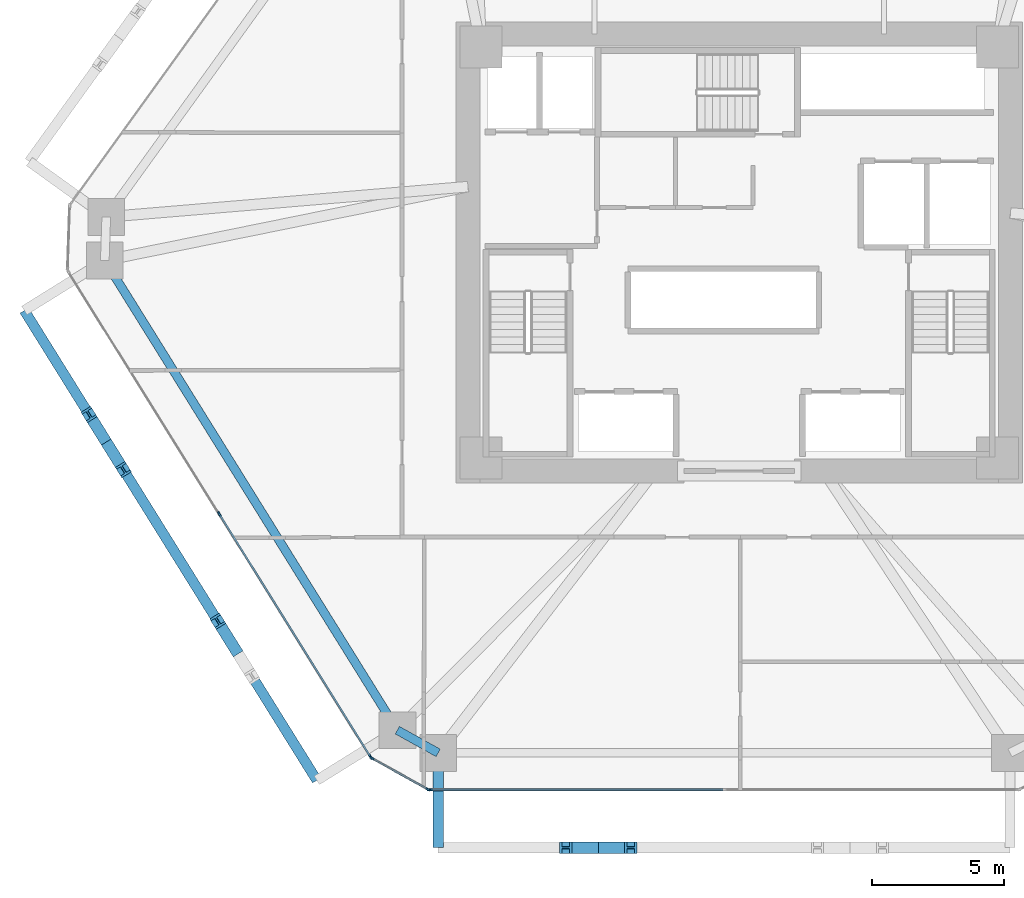
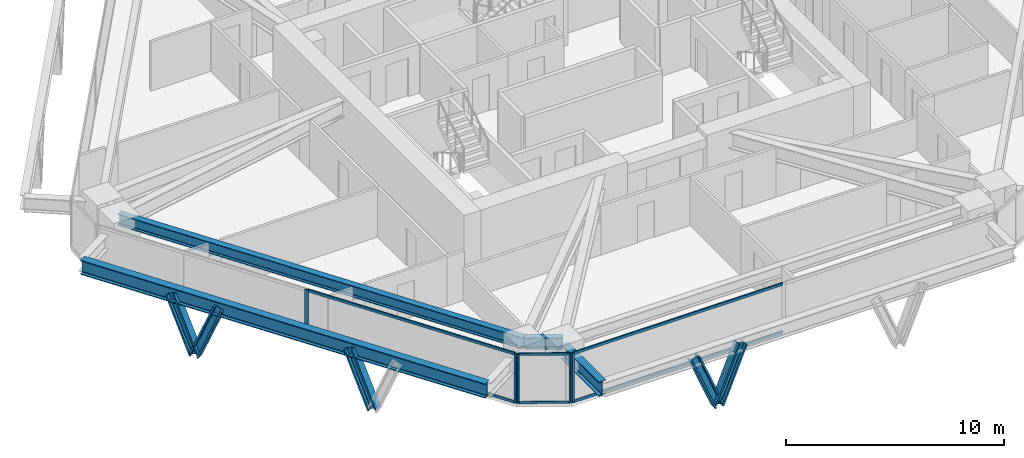
# One storey, part 2 of 15: 16 members, 4 beams, 3 elements without a shape of their own.
"""IFC4 building model written with IfcOpenShell, lengths in metres."""

from ifc_helpers import new_model, si_unit, direction, frame, origin, origin_2d, place, context, subcontext, project, spatial, rectangle, i_section, extrude, source, transform, mapped, material, layer, layer_set, material_profile, profile_set, type_object, type_shapes, element, aggregate, save


model = new_model("IFC4")

# Units and contexts
model_context = context("Model", 3, precision=1e-05, world=origin(), true_north=direction((0.0, 1.0)))
body_context = subcontext(model_context, "Body", "Model", "MODEL_VIEW")
ifc_project = project(units=[si_unit("LENGTHUNIT", "METRE"), si_unit("AREAUNIT", "SQUARE_METRE"), si_unit("VOLUMEUNIT", "CUBIC_METRE"), si_unit("PLANEANGLEUNIT", "RADIAN"), si_unit("MASSUNIT", "GRAM", prefix="KILO")], contexts=[model_context])

# Site, building, storey
site_placement = place(None, origin())
site = spatial("IfcSite", under=ifc_project, at=site_placement, CompositionType="ELEMENT")
building_placement = place(site_placement, origin())
building = spatial("IfcBuilding", under=site, at=building_placement, Name="Durnholm Broadcast Tower", CompositionType="ELEMENT")
storey_placement = place(building_placement, frame((0.0, 0.0, 75.300048828125)))
storey = spatial("IfcBuildingStorey", under=building, at=storey_placement, Name="L19", CompositionType="ELEMENT", Elevation=75.300048828125)

# Beams
ifc_material_1 = material(Name="Steel ASTM A992 Grade 50", Category="steel")
ifc_material_profile_1 = material_profile(ifc_material_1, i_section(OverallWidth=0.3291015625, OverallDepth=0.635009765625, WebThickness=0.017822265625, FlangeThickness=0.031005859375, FilletRadius=0.02783203125, at=origin_2d()), Name="W24X162")
ifc_profile_set_1 = profile_set([ifc_material_profile_1], Name="Steel ASTM A992 Grade 50")
beam_type_1 = type_object("IfcBeamType", Name="STL-SP-W24X162", PredefinedType="SPANDREL", material=ifc_profile_set_1)
shared_shape_1 = source(origin(), body_context, "Body", "SweptSolid", [
    extrude(i_section(OverallWidth=0.3291015625, OverallDepth=0.635009765625, WebThickness=0.017822265625, FlangeThickness=0.031005859375, FilletRadius=0.02783203125, at=origin_2d()), origin(), (0.0, 0.0, 1.0), 21.014404296875),
])
beam_1_placement = place(storey_placement, frame((-12.982666015625, -18.138427734375, 2.427490234375), z_axis=(-0.528595731543, 0.848873696491, 0.0), x_axis=(-0.848873696491, -0.528595731543, 0.0)))
element("IfcBeam", 1, at=beam_1_placement, inside=storey, type_object=beam_type_1, Name="L19 perimeter spandrel girder 01", PredefinedType="SPANDREL", context=body_context, shape_type="MappedRepresentation", body=[
    mapped(shared_shape_1, transform((0.0, 0.0, 0.0), x_axis=(1.0, 0.0, 0.0), y_axis=(0.0, 1.0, 0.0), z_axis=(0.0, 0.0, 1.0), scale=1.0)),
])
shared_shape_2 = source(origin(), body_context, "Body", "SweptSolid", [
    extrude(i_section(OverallWidth=0.3291015625, OverallDepth=0.635009765625, WebThickness=0.017822265625, FlangeThickness=0.031005859375, FilletRadius=0.02783203125, at=origin_2d()), origin(), (0.0, 0.0, 1.0), 1.774658203125),
])
type_shapes(beam_type_1, [shared_shape_1, shared_shape_2])
beam_2_placement = place(storey_placement, frame((-11.43115234375, -19.0, 2.427490234375), z_axis=(-0.874248107979, 0.485479397806, 0.0), x_axis=(-0.485479397806, -0.874248107979, 0.0)))
element("IfcBeam", 2, at=beam_2_placement, inside=storey, type_object=beam_type_1, Name="L19 perimeter spandrel girder 12", PredefinedType="SPANDREL", context=body_context, shape_type="MappedRepresentation", body=[
    mapped(shared_shape_2, transform((0.0, 0.0, 0.0), x_axis=(1.0, 0.0, 0.0), y_axis=(0.0, 1.0, 0.0), z_axis=(0.0, 0.0, 1.0), scale=1.0)),
])
ifc_material_profile_2 = material_profile(ifc_material_1, i_section(OverallWidth=0.385009765625, OverallDepth=0.802978515625, WebThickness=0.023681640625, FlangeThickness=0.0419921875, FilletRadius=0.032958984375, at=origin_2d()), Name="W30X261")
ifc_profile_set_2 = profile_set([ifc_material_profile_2], Name="Steel ASTM A992 Grade 50")
beam_type_2 = type_object("IfcBeamType", Name="BM-EXO-TIE", PredefinedType="USERDEFINED", material=ifc_profile_set_2)
shared_shape_3 = source(origin(), body_context, "Body", "SweptSolid", [
    extrude(i_section(OverallWidth=0.385009765625, OverallDepth=0.802978515625, WebThickness=0.023681640625, FlangeThickness=0.0419921875, FilletRadius=0.032958984375, at=origin_2d()), origin(), (0.0, 0.0, 1.0), 3.4560546875),
])
beam_3_placement = place(storey_placement, frame((-11.43115234375, -19.14404296875, 2.008544921875), z_axis=(0.0, -1.0, 0.0), x_axis=(1.0, 0.0, 0.0)))
element("IfcBeam", 3, at=beam_3_placement, inside=storey, type_object=beam_type_2, Name="L19 exoskeleton stand-off tie bracket F1.1", ObjectType="GIRDER", PredefinedType="USERDEFINED", context=body_context, shape_type="MappedRepresentation", body=[
    mapped(shared_shape_3, transform((0.0, 0.0, 0.0), x_axis=(1.0, 0.0, 0.0), y_axis=(0.0, 1.0, 0.0), z_axis=(0.0, 0.0, 1.0), scale=1.0)),
])
shared_shape_4 = source(origin(), body_context, "Body", "SweptSolid", [
    extrude(i_section(OverallWidth=0.385009765625, OverallDepth=0.802978515625, WebThickness=0.023681640625, FlangeThickness=0.0419921875, FilletRadius=0.032958984375, at=origin_2d()), origin(), (0.0, 0.0, 1.0), 21.0146484375),
])
type_shapes(beam_type_2, [shared_shape_3, shared_shape_4])
beam_4_placement = place(storey_placement, frame((-27.146728515625, -2.20263671875, 2.008544921875), z_axis=(0.528590518575, -0.848876942597, 0.0), x_axis=(0.848876942597, 0.528590518575, 0.0)))
element("IfcBeam", 4, at=beam_4_placement, inside=storey, type_object=beam_type_2, Name="L19 exoskeleton collector spandrel F6", PredefinedType="SPANDREL", context=body_context, shape_type="MappedRepresentation", body=[
    mapped(shared_shape_4, transform((0.0, 0.0, 0.0), x_axis=(1.0, 0.0, 0.0), y_axis=(0.0, 1.0, 0.0), z_axis=(0.0, 0.0, 1.0), scale=1.0)),
])

# Members
ifc_material_2 = material(Name="Steel ASTM A913 Grade 65", Category="steel")
ifc_material_profile_3 = material_profile(ifc_material_2, i_section(OverallWidth=0.43212890625, OverallDepth=0.497802734375, WebThickness=0.0556640625, FlangeThickness=0.0888671875, FilletRadius=0.030517578125, at=origin_2d()), Name="W14X500")
ifc_profile_set_3 = profile_set([ifc_material_profile_3], Name="Steel ASTM A913 Grade 65")
member_type_1 = type_object("IfcMemberType", Name="STL-DG-W14X500", PredefinedType="BRACE", material=ifc_profile_set_3)
shared_shape_5 = source(origin(), body_context, "Body", "SweptSolid", [
    extrude(i_section(OverallWidth=0.43212890625, OverallDepth=0.497802734375, WebThickness=0.0556640625, FlangeThickness=0.0888671875, FilletRadius=0.030517578125, at=origin_2d()), origin(), (0.0, 0.0, 1.0), 3.243896484375),
])
type_shapes(member_type_1, [shared_shape_5])
for number, where, z_axis, x_axis, name in (
    (5, (-5.351318359375, -22.60009765625, -0.991455078125), (-0.380378804119, 0.0, 0.924830776616), (0.0, -1.0, 0.0), "L19 stand-off diagrid brace F1.D1.1"),
    (6, (-5.351318359375, -22.60009765625, -0.991455078125), (0.380378804119, 0.0, 0.924830776616), (0.0, 1.0, 0.0), "L19 stand-off diagrid brace F1.D1.2"),
    (7, (-24.036376953125, -7.197509765625, -0.991455078125), (-0.201102088214, 0.322877229954, 0.924828764958), (-0.848819847179, -0.528682198523, 0.0), "L19 stand-off diagrid brace F6.D1.1"),
    (8, (-24.036376953125, -7.197509765625, -0.991455078125), (0.201029867597, -0.322882116058, 0.9248427604), (0.848908635391, 0.528539618911, 0.0), "L19 stand-off diagrid brace F6.D1.2"),
    (9, (-19.14892578125, -15.04638671875, -0.991455078125), (-0.201029867597, 0.322882116058, 0.9248427604), (-0.848908635391, -0.528539618911, 0.0), "L19 stand-off diagrid brace F6.D2.1"),
):
    element("IfcMember", number, at=place(storey_placement, frame(where, z_axis=z_axis, x_axis=x_axis)), inside=storey, type_object=member_type_1, Name=name, PredefinedType="BRACE", context=body_context, shape_type="MappedRepresentation", body=[
        mapped(shared_shape_5, transform((0.0, 0.0, 0.0), x_axis=(1.0, 0.0, 0.0), y_axis=(0.0, 1.0, 0.0), z_axis=(0.0, 0.0, 1.0), scale=1.0)),
    ])

# Curtain wall, members
ifc_material_3 = material(Name="Aluminium and Solar Control IGU", Category="aluminium")
ifc_layer_1 = layer(ifc_material_3, 0.1650390625)
ifc_layer_set_1 = layer_set([ifc_layer_1], Name="Aluminium and Solar Control IGU")
curtain_wall_type_1 = type_object("IfcCurtainWallType", Name="CW-SYS-5", PredefinedType="NOTDEFINED", material=ifc_layer_set_1)
curtain_wall_1_placement = place(storey_placement, origin())
curtain_wall_1 = element("IfcCurtainWall", 10, at=curtain_wall_1_placement, inside=storey, type_object=curtain_wall_type_1, Name="L19 curtain wall CW-CORNER CW-L19-CRN-11", PredefinedType="NOTDEFINED")
ifc_material_4 = material(Name="Aluminium 6063-T6", Category="aluminium")
ifc_material_profile_4 = material_profile(ifc_material_4, rectangle(XDim=0.06494140625, YDim=0.1298828125, at=origin_2d()), Name="CWT65X130")
ifc_profile_set_4 = profile_set([ifc_material_profile_4], Name="Aluminium 6063-T6")
member_type_2 = type_object("IfcMemberType", Name="CW-SYS-5-TRN", PredefinedType="USERDEFINED", material=ifc_profile_set_4)
shared_shape_6 = source(origin(), body_context, "Body", "SweptSolid", [
    extrude(rectangle(XDim=0.06494140625, YDim=0.1298828125, at=origin_2d()), origin(), (0.0, 0.0, 1.0), 2.3701171875),
])
type_shapes(member_type_2, [shared_shape_6])
member_1_placement = place(storey_placement, frame((-11.8505859375, -20.368408203125, 0.032470703125), z_axis=(-0.874244723151, 0.485485493132, 0.0), x_axis=(-0.485485493132, -0.874244723151, 0.0)))
member_1 = element("IfcMember", 11, at=member_1_placement, type_object=member_type_2, Name="CW-CORNER transom 1.1", ObjectType="TRANSOM", PredefinedType="USERDEFINED", context=body_context, shape_type="MappedRepresentation", body=[
    mapped(shared_shape_6, transform((0.0, 0.0, 0.0), x_axis=(1.0, 0.0, 0.0), y_axis=(0.0, 1.0, 0.0), z_axis=(0.0, 0.0, 1.0), scale=1.0)),
])
member_2_placement = place(storey_placement, frame((-11.8505859375, -20.368408203125, 2.7275390625), z_axis=(-0.874244723151, 0.485485493132, 0.0), x_axis=(-0.485485493132, -0.874244723151, 0.0)))
member_2 = element("IfcMember", 12, at=member_2_placement, type_object=member_type_2, Name="CW-CORNER transom 1.2", ObjectType="TRANSOM", PredefinedType="USERDEFINED", context=body_context, shape_type="MappedRepresentation", body=[
    mapped(shared_shape_6, transform((0.0, 0.0, 0.0), x_axis=(1.0, 0.0, 0.0), y_axis=(0.0, 1.0, 0.0), z_axis=(0.0, 0.0, 1.0), scale=1.0)),
])

ifc_layer_2 = layer(ifc_material_3, 0.18994140625)
ifc_layer_set_2 = layer_set([ifc_layer_2], Name="Aluminium and Solar Control IGU")
curtain_wall_type_2 = type_object("IfcCurtainWallType", Name="CW-SYS-3", PredefinedType="NOTDEFINED", material=ifc_layer_set_2)
curtain_wall_2_placement = place(storey_placement, origin())
curtain_wall_2 = element("IfcCurtainWall", 13, at=curtain_wall_2_placement, inside=storey, type_object=curtain_wall_type_2, Name="L19 curtain wall CW-Z12-VIS CW-L19-F12", PredefinedType="NOTDEFINED")
ifc_material_profile_5 = material_profile(ifc_material_4, rectangle(XDim=0.070068359375, YDim=0.14990234375, at=origin_2d()), Name="CWT70X150")
ifc_profile_set_5 = profile_set([ifc_material_profile_5], Name="Aluminium 6063-T6")
member_type_3 = type_object("IfcMemberType", Name="CW-SYS-3-TRN", PredefinedType="USERDEFINED", material=ifc_profile_set_5)
shared_shape_7 = source(origin(), body_context, "Body", "SweptSolid", [
    extrude(rectangle(XDim=0.070068359375, YDim=0.14990234375, at=origin_2d()), origin(), (0.0, 0.0, 1.0), 10.796630859375),
])
member_3_placement = place(storey_placement, frame((-14.016357421875, -19.126953125, 0.034912109375), z_axis=(-0.528591657678, 0.848876233283, 0.0), x_axis=(-0.848876233283, -0.528591657678, 0.0)))
member_3 = element("IfcMember", 14, at=member_3_placement, type_object=member_type_3, Name="CW-Z12-VIS transom 1.1", ObjectType="TRANSOM", PredefinedType="USERDEFINED", context=body_context, shape_type="MappedRepresentation", body=[
    mapped(shared_shape_7, transform((0.0, 0.0, 0.0), x_axis=(1.0, 0.0, 0.0), y_axis=(0.0, 1.0, 0.0), z_axis=(0.0, 0.0, 1.0), scale=1.0)),
])
member_4_placement = place(storey_placement, frame((-14.016357421875, -19.126953125, 2.724853515625), z_axis=(-0.528591657678, 0.848876233283, 0.0), x_axis=(-0.848876233283, -0.528591657678, 0.0)))
member_4 = element("IfcMember", 15, at=member_4_placement, type_object=member_type_3, Name="CW-Z12-VIS transom 1.2", ObjectType="TRANSOM", PredefinedType="USERDEFINED", context=body_context, shape_type="MappedRepresentation", body=[
    mapped(shared_shape_7, transform((0.0, 0.0, 0.0), x_axis=(1.0, 0.0, 0.0), y_axis=(0.0, 1.0, 0.0), z_axis=(0.0, 0.0, 1.0), scale=1.0)),
])

curtain_wall_3_placement = place(storey_placement, origin())
curtain_wall_3 = element("IfcCurtainWall", 16, at=curtain_wall_3_placement, inside=storey, type_object=curtain_wall_type_2, Name="L19 curtain wall CW-Z12-VIS CW-L19-F10", PredefinedType="NOTDEFINED")
shared_shape_8 = source(origin(), body_context, "Body", "SweptSolid", [
    extrude(rectangle(XDim=0.070068359375, YDim=0.14990234375, at=origin_2d()), origin(), (0.0, 0.0, 1.0), 11.10205078125),
])
type_shapes(member_type_3, [shared_shape_7, shared_shape_8])
member_5_placement = place(storey_placement, frame((-0.621826171875, -20.39990234375, 0.034912109375), z_axis=(-1.0, 0.0, 0.0), x_axis=(0.0, -1.0, 0.0)))
member_5 = element("IfcMember", 17, at=member_5_placement, type_object=member_type_3, Name="CW-Z12-VIS transom 2.1", ObjectType="TRANSOM", PredefinedType="USERDEFINED", context=body_context, shape_type="MappedRepresentation", body=[
    mapped(shared_shape_8, transform((0.0, 0.0, 0.0), x_axis=(1.0, 0.0, 0.0), y_axis=(0.0, 1.0, 0.0), z_axis=(0.0, 0.0, 1.0), scale=1.0)),
])
member_6_placement = place(storey_placement, frame((-0.621826171875, -20.39990234375, 2.724853515625), z_axis=(-1.0, 0.0, 0.0), x_axis=(0.0, -1.0, 0.0)))
member_6 = element("IfcMember", 18, at=member_6_placement, type_object=member_type_3, Name="CW-Z12-VIS transom 2.2", ObjectType="TRANSOM", PredefinedType="USERDEFINED", context=body_context, shape_type="MappedRepresentation", body=[
    mapped(shared_shape_8, transform((0.0, 0.0, 0.0), x_axis=(1.0, 0.0, 0.0), y_axis=(0.0, 1.0, 0.0), z_axis=(0.0, 0.0, 1.0), scale=1.0)),
])

# Member
ifc_material_profile_6 = material_profile(ifc_material_4, rectangle(XDim=0.06494140625, YDim=0.1650390625, at=origin_2d()), Name="CWM65X165")
ifc_profile_set_6 = profile_set([ifc_material_profile_6], Name="Aluminium 6063-T6")
member_type_4 = type_object("IfcMemberType", Name="CW-SYS-5-MUL", PredefinedType="MULLION", material=ifc_profile_set_6)
shared_shape_9 = source(origin(), body_context, "Body", "SweptSolid", [
    extrude(rectangle(XDim=0.06494140625, YDim=0.1650390625, at=origin_2d()), origin(), (0.0, 0.0, 1.0), 2.760009765625),
])
type_shapes(member_type_4, [shared_shape_9])
member_7_placement = place(storey_placement, frame((-11.822265625, -20.38427734375, 0.0), z_axis=(0.0, 0.0, 1.0), x_axis=(-0.485483299359, -0.874245941394, 0.0)))
member_7 = element("IfcMember", 19, at=member_7_placement, type_object=member_type_4, Name="CW-CORNER mullion 1", PredefinedType="MULLION", context=body_context, shape_type="MappedRepresentation", body=[
    mapped(shared_shape_9, transform((0.0, 0.0, 0.0), x_axis=(1.0, 0.0, 0.0), y_axis=(0.0, 1.0, 0.0), z_axis=(0.0, 0.0, 1.0), scale=1.0)),
])

member_8_placement = place(storey_placement, frame((-13.950927734375, -19.2021484375, 0.0), z_axis=(0.0, 0.0, 1.0), x_axis=(-0.485483299359, -0.874245941394, 0.0)))
member_8 = element("IfcMember", 20, at=member_8_placement, type_object=member_type_4, Name="CW-CORNER mullion 2", PredefinedType="MULLION", context=body_context, shape_type="MappedRepresentation", body=[
    mapped(shared_shape_9, transform((0.0, 0.0, 0.0), x_axis=(1.0, 0.0, 0.0), y_axis=(0.0, 1.0, 0.0), z_axis=(0.0, 0.0, 1.0), scale=1.0)),
])

aggregate(curtain_wall_1, [member_7, member_8, member_1, member_2])

ifc_material_profile_7 = material_profile(ifc_material_4, rectangle(XDim=0.070068359375, YDim=0.18994140625, at=origin_2d()), Name="CWM70X190")
ifc_profile_set_7 = profile_set([ifc_material_profile_7], Name="Aluminium 6063-T6")
member_type_5 = type_object("IfcMemberType", Name="CW-SYS-3-MUL", PredefinedType="MULLION", material=ifc_profile_set_7)
shared_shape_10 = source(origin(), body_context, "Body", "SweptSolid", [
    extrude(rectangle(XDim=0.070068359375, YDim=0.18994140625, at=origin_2d()), origin(), (0.0, 0.0, 1.0), 2.760009765625),
])
type_shapes(member_type_5, [shared_shape_10])
member_9_placement = place(storey_placement, frame((-11.7587890625, -20.39990234375, 0.0), z_axis=(0.0, 0.0, 1.0), x_axis=(0.0, -1.0, 0.0)))
member_9 = element("IfcMember", 21, at=member_9_placement, type_object=member_type_5, Name="CW-Z12-VIS mullion 3", PredefinedType="MULLION", context=body_context, shape_type="MappedRepresentation", body=[
    mapped(shared_shape_10, transform((0.0, 0.0, 0.0), x_axis=(1.0, 0.0, 0.0), y_axis=(0.0, 1.0, 0.0), z_axis=(0.0, 0.0, 1.0), scale=1.0)),
])

aggregate(curtain_wall_3, [member_9, member_5, member_6])

member_10_placement = place(storey_placement, frame((-13.997802734375, -19.156494140625, 0.0), z_axis=(0.0, 0.0, 1.0), x_axis=(-0.848875785503, -0.528592376777, 0.0)))
member_10 = element("IfcMember", 22, at=member_10_placement, type_object=member_type_5, Name="CW-Z12-VIS mullion 1", PredefinedType="MULLION", context=body_context, shape_type="MappedRepresentation", body=[
    mapped(shared_shape_10, transform((0.0, 0.0, 0.0), x_axis=(1.0, 0.0, 0.0), y_axis=(0.0, 1.0, 0.0), z_axis=(0.0, 0.0, 1.0), scale=1.0)),
])

member_11_placement = place(storey_placement, frame((-19.741943359375, -9.93212890625, 0.0), z_axis=(0.0, 0.0, 1.0), x_axis=(-0.848875785503, -0.528592376777, 0.0)))
member_11 = element("IfcMember", 23, at=member_11_placement, type_object=member_type_5, Name="CW-Z12-VIS mullion 2", PredefinedType="MULLION", context=body_context, shape_type="MappedRepresentation", body=[
    mapped(shared_shape_10, transform((0.0, 0.0, 0.0), x_axis=(1.0, 0.0, 0.0), y_axis=(0.0, 1.0, 0.0), z_axis=(0.0, 0.0, 1.0), scale=1.0)),
])

aggregate(curtain_wall_2, [member_10, member_11, member_3, member_4])

save(model, "model.ifc")
